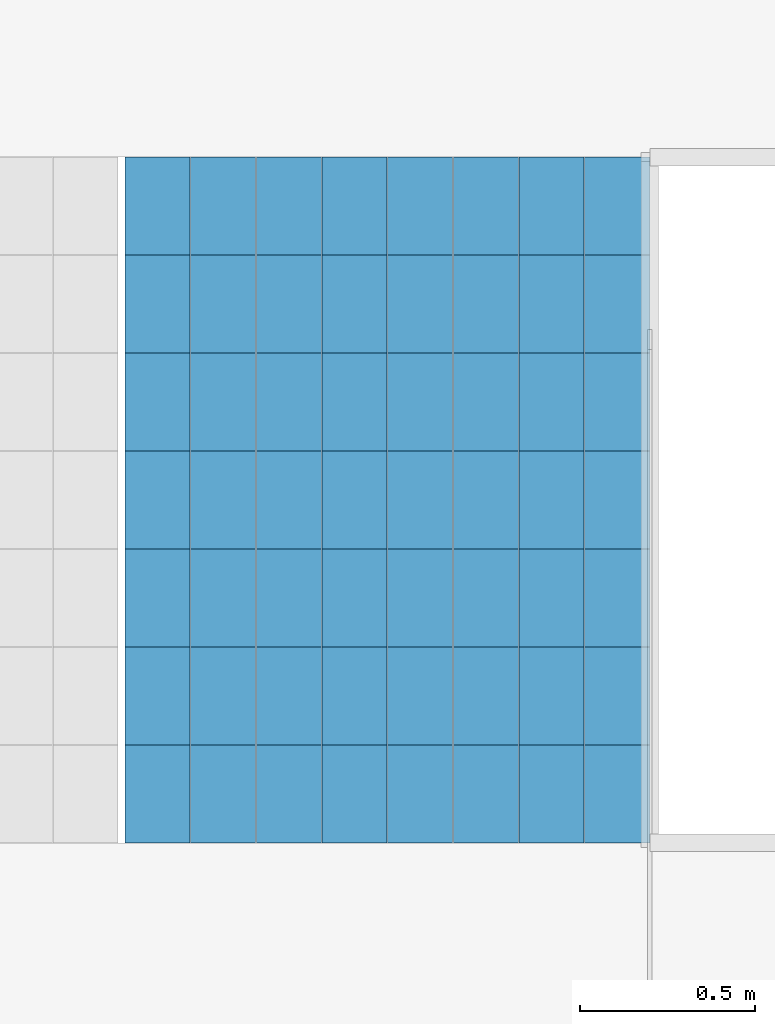
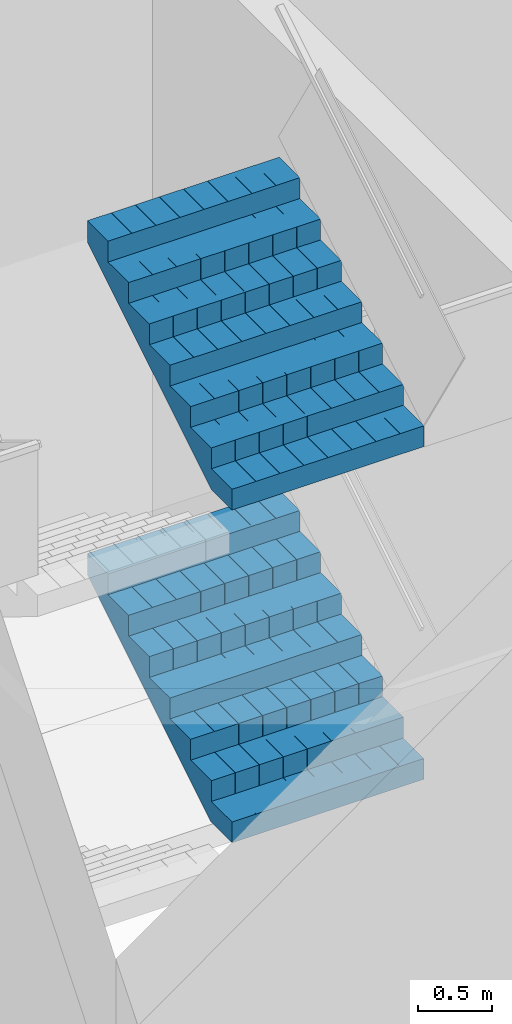
# One storey, part 27 of 30: 2 stair flights, 1 element without a shape of its own.
"""IFC4 building model written with IfcOpenShell, lengths in metres."""

from ifc_helpers import new_model, si_unit, direction, frame, origin, place, context, subcontext, project, spatial, polyline, outline, extrude, material, type_object, element, aggregate, save


model = new_model("IFC4")

# Units and contexts
model_context = context("Model", 3, precision=1e-05, world=origin(), true_north=direction((0.0, 1.0)))
body_context = subcontext(model_context, "Body", "Model", "MODEL_VIEW")
ifc_project = project(units=[si_unit("LENGTHUNIT", "METRE"), si_unit("AREAUNIT", "SQUARE_METRE"), si_unit("VOLUMEUNIT", "CUBIC_METRE"), si_unit("PLANEANGLEUNIT", "RADIAN"), si_unit("MASSUNIT", "GRAM", prefix="KILO")], contexts=[model_context])

# Site, building, storey
site_placement = place(None, origin())
site = spatial("IfcSite", under=ifc_project, at=site_placement, CompositionType="ELEMENT")
building_placement = place(site_placement, origin())
building = spatial("IfcBuilding", under=site, at=building_placement, Name="Kolab Exchange Tower", CompositionType="ELEMENT")
storey_placement = place(building_placement, frame((0.0, 0.0, 38.89990234375)))
storey = spatial("IfcBuildingStorey", under=building, at=storey_placement, Name="L07", CompositionType="ELEMENT", Elevation=38.89990234375)

# Stair, stair flights
ifc_material = material(Name="Concrete C50/60", Category="concrete")
stair_type = type_object("IfcStairType", Name="STAIR ST4 RISER 171.9", PredefinedType="DOUBLE_RETURN_STAIR", material=ifc_material)
stair_placement = place(storey_placement, origin())
stair = element("IfcStair", 1, at=stair_placement, inside=storey, type_object=stair_type, Name="Stair 4", PredefinedType="DOUBLE_RETURN_STAIR")
stair_flight_type = type_object("IfcStairFlightType", Name="STAIR FLIGHT 1500 RISER 171.9", PredefinedType="STRAIGHT", material=ifc_material)
stair_flight_1_placement = place(storey_placement, frame((19.9599609375, -1.31005859375, 1.375), z_axis=(0.0, 0.0, 1.0), x_axis=(0.0, 1.0, 0.0)))
stair_flight_1 = element("IfcStairFlight", 2, at=stair_flight_1_placement, type_object=stair_flight_type, Name="ST4 flight 2", NumberOfRisers=8, NumberOfTreads=7, PredefinedType="STRAIGHT", RiserHeight=0.171875, TreadLength=0.28, context=body_context, shape_type="SweptSolid", body=[
    extrude(outline(polyline([(0.0, 0.0), (0.0, 0.171875), (0.280029296875, 0.171875), (0.280029296875, 0.34375), (0.56005859375, 0.34375), (0.56005859375, 0.515625), (0.840087890625, 0.515625), (0.840087890625, 0.6875), (1.1201171875, 0.6875), (1.1201171875, 0.859375), (1.39990234375, 0.859375), (1.39990234375, 1.03125), (1.679931640625, 1.03125), (1.679931640625, 1.203125), (1.9599609375, 1.203125), (1.9599609375, 1.375), (1.9599609375, 1.02734375), (0.28662109375, 0.0), (0.0, 0.0)])), frame((0.0, 0.75, 0.0), z_axis=(0.0, -1.0, 0.0), x_axis=(1.0, 0.0, 0.0)), (0.0, 0.0, 1.0), 0.185791015625),
    extrude(outline(polyline([(0.0, 0.0), (0.0, 0.171875), (0.280029296875, 0.171875), (0.280029296875, 0.34375), (0.56005859375, 0.34375), (0.56005859375, 0.515625), (0.840087890625, 0.515625), (0.840087890625, 0.6875), (1.1201171875, 0.6875), (1.1201171875, 0.859375), (1.39990234375, 0.859375), (1.39990234375, 1.03125), (1.679931640625, 1.03125), (1.679931640625, 1.203125), (1.9599609375, 1.203125), (1.9599609375, 1.375), (1.9599609375, 1.02734375), (0.28662109375, 0.0), (0.0, 0.0)])), frame((0.0, 0.562255859375, 0.0), z_axis=(0.0, -1.0, 0.0), x_axis=(1.0, 0.0, 0.0)), (0.0, 0.0, 1.0), 0.185791015625),
    extrude(outline(polyline([(0.0, 0.0), (0.0, 0.171875), (0.280029296875, 0.171875), (0.280029296875, 0.34375), (0.56005859375, 0.34375), (0.56005859375, 0.515625), (0.840087890625, 0.515625), (0.840087890625, 0.6875), (1.1201171875, 0.6875), (1.1201171875, 0.859375), (1.39990234375, 0.859375), (1.39990234375, 1.03125), (1.679931640625, 1.03125), (1.679931640625, 1.203125), (1.9599609375, 1.203125), (1.9599609375, 1.375), (1.9599609375, 1.02734375), (0.28662109375, 0.0), (0.0, 0.0)])), frame((0.0, 0.37451171875, 0.0), z_axis=(0.0, -1.0, 0.0), x_axis=(1.0, 0.0, 0.0)), (0.0, 0.0, 1.0), 0.185791015625),
    extrude(outline(polyline([(0.0, 0.0), (0.0, 0.171875), (0.280029296875, 0.171875), (0.280029296875, 0.34375), (0.56005859375, 0.34375), (0.56005859375, 0.515625), (0.840087890625, 0.515625), (0.840087890625, 0.6875), (1.1201171875, 0.6875), (1.1201171875, 0.859375), (1.39990234375, 0.859375), (1.39990234375, 1.03125), (1.679931640625, 1.03125), (1.679931640625, 1.203125), (1.9599609375, 1.203125), (1.9599609375, 1.375), (1.9599609375, 1.02734375), (0.28662109375, 0.0), (0.0, 0.0)])), frame((0.0, 0.186767578125, 0.0), z_axis=(0.0, -1.0, 0.0), x_axis=(1.0, 0.0, 0.0)), (0.0, 0.0, 1.0), 0.185791015625),
    extrude(outline(polyline([(0.0, 0.0), (0.0, 0.171875), (0.280029296875, 0.171875), (0.280029296875, 0.34375), (0.56005859375, 0.34375), (0.56005859375, 0.515625), (0.840087890625, 0.515625), (0.840087890625, 0.6875), (1.1201171875, 0.6875), (1.1201171875, 0.859375), (1.39990234375, 0.859375), (1.39990234375, 1.03125), (1.679931640625, 1.03125), (1.679931640625, 1.203125), (1.9599609375, 1.203125), (1.9599609375, 1.375), (1.9599609375, 1.02734375), (0.28662109375, 0.0), (0.0, 0.0)])), frame((0.0, -0.0009765625, 0.0), z_axis=(0.0, -1.0, 0.0), x_axis=(1.0, 0.0, 0.0)), (0.0, 0.0, 1.0), 0.185791015625),
    extrude(outline(polyline([(0.0, 0.0), (0.0, 0.171875), (0.280029296875, 0.171875), (0.280029296875, 0.34375), (0.56005859375, 0.34375), (0.56005859375, 0.515625), (0.840087890625, 0.515625), (0.840087890625, 0.6875), (1.1201171875, 0.6875), (1.1201171875, 0.859375), (1.39990234375, 0.859375), (1.39990234375, 1.03125), (1.679931640625, 1.03125), (1.679931640625, 1.203125), (1.9599609375, 1.203125), (1.9599609375, 1.375), (1.9599609375, 1.02734375), (0.28662109375, 0.0), (0.0, 0.0)])), frame((0.0, -0.188720703125, 0.0), z_axis=(0.0, -1.0, 0.0), x_axis=(1.0, 0.0, 0.0)), (0.0, 0.0, 1.0), 0.185791015625),
    extrude(outline(polyline([(0.0, 0.0), (0.0, 0.171875), (0.280029296875, 0.171875), (0.280029296875, 0.34375), (0.56005859375, 0.34375), (0.56005859375, 0.515625), (0.840087890625, 0.515625), (0.840087890625, 0.6875), (1.1201171875, 0.6875), (1.1201171875, 0.859375), (1.39990234375, 0.859375), (1.39990234375, 1.03125), (1.679931640625, 1.03125), (1.679931640625, 1.203125), (1.9599609375, 1.203125), (1.9599609375, 1.375), (1.9599609375, 1.02734375), (0.28662109375, 0.0), (0.0, 0.0)])), frame((0.0, -0.37646484375, 0.0), z_axis=(0.0, -1.0, 0.0), x_axis=(1.0, 0.0, 0.0)), (0.0, 0.0, 1.0), 0.185791015625),
    extrude(outline(polyline([(0.0, 0.0), (0.0, 0.171875), (0.280029296875, 0.171875), (0.280029296875, 0.34375), (0.56005859375, 0.34375), (0.56005859375, 0.515625), (0.840087890625, 0.515625), (0.840087890625, 0.6875), (1.1201171875, 0.6875), (1.1201171875, 0.859375), (1.39990234375, 0.859375), (1.39990234375, 1.03125), (1.679931640625, 1.03125), (1.679931640625, 1.203125), (1.9599609375, 1.203125), (1.9599609375, 1.375), (1.9599609375, 1.02734375), (0.28662109375, 0.0), (0.0, 0.0)])), frame((0.0, -0.564208984375, 0.0), z_axis=(0.0, -1.0, 0.0), x_axis=(1.0, 0.0, 0.0)), (0.0, 0.0, 1.0), 0.185791015625),
])
stair_flight_2_placement = place(storey_placement, frame((19.9599609375, -1.31005859375, 4.125), z_axis=(0.0, 0.0, 1.0), x_axis=(0.0, 1.0, 0.0)))
stair_flight_2 = element("IfcStairFlight", 3, at=stair_flight_2_placement, type_object=stair_flight_type, Name="ST4 flight 4", NumberOfRisers=8, NumberOfTreads=7, PredefinedType="STRAIGHT", RiserHeight=0.171875, TreadLength=0.28, context=body_context, shape_type="SweptSolid", body=[
    extrude(outline(polyline([(0.0, 0.0), (0.0, 0.171875), (0.280029296875, 0.171875), (0.280029296875, 0.34375), (0.56005859375, 0.34375), (0.56005859375, 0.515625), (0.840087890625, 0.515625), (0.840087890625, 0.6875), (1.1201171875, 0.6875), (1.1201171875, 0.859375), (1.39990234375, 0.859375), (1.39990234375, 1.03125), (1.679931640625, 1.03125), (1.679931640625, 1.203125), (1.9599609375, 1.203125), (1.9599609375, 1.375), (1.9599609375, 1.02734375), (0.28662109375, 0.0), (0.0, 0.0)])), frame((0.0, 0.75, 0.0), z_axis=(0.0, -1.0, 0.0), x_axis=(1.0, 0.0, 0.0)), (0.0, 0.0, 1.0), 0.185791015625),
    extrude(outline(polyline([(0.0, 0.0), (0.0, 0.171875), (0.280029296875, 0.171875), (0.280029296875, 0.34375), (0.56005859375, 0.34375), (0.56005859375, 0.515625), (0.840087890625, 0.515625), (0.840087890625, 0.6875), (1.1201171875, 0.6875), (1.1201171875, 0.859375), (1.39990234375, 0.859375), (1.39990234375, 1.03125), (1.679931640625, 1.03125), (1.679931640625, 1.203125), (1.9599609375, 1.203125), (1.9599609375, 1.375), (1.9599609375, 1.02734375), (0.28662109375, 0.0), (0.0, 0.0)])), frame((0.0, 0.562255859375, 0.0), z_axis=(0.0, -1.0, 0.0), x_axis=(1.0, 0.0, 0.0)), (0.0, 0.0, 1.0), 0.185791015625),
    extrude(outline(polyline([(0.0, 0.0), (0.0, 0.171875), (0.280029296875, 0.171875), (0.280029296875, 0.34375), (0.56005859375, 0.34375), (0.56005859375, 0.515625), (0.840087890625, 0.515625), (0.840087890625, 0.6875), (1.1201171875, 0.6875), (1.1201171875, 0.859375), (1.39990234375, 0.859375), (1.39990234375, 1.03125), (1.679931640625, 1.03125), (1.679931640625, 1.203125), (1.9599609375, 1.203125), (1.9599609375, 1.375), (1.9599609375, 1.02734375), (0.28662109375, 0.0), (0.0, 0.0)])), frame((0.0, 0.37451171875, 0.0), z_axis=(0.0, -1.0, 0.0), x_axis=(1.0, 0.0, 0.0)), (0.0, 0.0, 1.0), 0.185791015625),
    extrude(outline(polyline([(0.0, 0.0), (0.0, 0.171875), (0.280029296875, 0.171875), (0.280029296875, 0.34375), (0.56005859375, 0.34375), (0.56005859375, 0.515625), (0.840087890625, 0.515625), (0.840087890625, 0.6875), (1.1201171875, 0.6875), (1.1201171875, 0.859375), (1.39990234375, 0.859375), (1.39990234375, 1.03125), (1.679931640625, 1.03125), (1.679931640625, 1.203125), (1.9599609375, 1.203125), (1.9599609375, 1.375), (1.9599609375, 1.02734375), (0.28662109375, 0.0), (0.0, 0.0)])), frame((0.0, 0.186767578125, 0.0), z_axis=(0.0, -1.0, 0.0), x_axis=(1.0, 0.0, 0.0)), (0.0, 0.0, 1.0), 0.185791015625),
    extrude(outline(polyline([(0.0, 0.0), (0.0, 0.171875), (0.280029296875, 0.171875), (0.280029296875, 0.34375), (0.56005859375, 0.34375), (0.56005859375, 0.515625), (0.840087890625, 0.515625), (0.840087890625, 0.6875), (1.1201171875, 0.6875), (1.1201171875, 0.859375), (1.39990234375, 0.859375), (1.39990234375, 1.03125), (1.679931640625, 1.03125), (1.679931640625, 1.203125), (1.9599609375, 1.203125), (1.9599609375, 1.375), (1.9599609375, 1.02734375), (0.28662109375, 0.0), (0.0, 0.0)])), frame((0.0, -0.0009765625, 0.0), z_axis=(0.0, -1.0, 0.0), x_axis=(1.0, 0.0, 0.0)), (0.0, 0.0, 1.0), 0.185791015625),
    extrude(outline(polyline([(0.0, 0.0), (0.0, 0.171875), (0.280029296875, 0.171875), (0.280029296875, 0.34375), (0.56005859375, 0.34375), (0.56005859375, 0.515625), (0.840087890625, 0.515625), (0.840087890625, 0.6875), (1.1201171875, 0.6875), (1.1201171875, 0.859375), (1.39990234375, 0.859375), (1.39990234375, 1.03125), (1.679931640625, 1.03125), (1.679931640625, 1.203125), (1.9599609375, 1.203125), (1.9599609375, 1.375), (1.9599609375, 1.02734375), (0.28662109375, 0.0), (0.0, 0.0)])), frame((0.0, -0.188720703125, 0.0), z_axis=(0.0, -1.0, 0.0), x_axis=(1.0, 0.0, 0.0)), (0.0, 0.0, 1.0), 0.185791015625),
    extrude(outline(polyline([(0.0, 0.0), (0.0, 0.171875), (0.280029296875, 0.171875), (0.280029296875, 0.34375), (0.56005859375, 0.34375), (0.56005859375, 0.515625), (0.840087890625, 0.515625), (0.840087890625, 0.6875), (1.1201171875, 0.6875), (1.1201171875, 0.859375), (1.39990234375, 0.859375), (1.39990234375, 1.03125), (1.679931640625, 1.03125), (1.679931640625, 1.203125), (1.9599609375, 1.203125), (1.9599609375, 1.375), (1.9599609375, 1.02734375), (0.28662109375, 0.0), (0.0, 0.0)])), frame((0.0, -0.37646484375, 0.0), z_axis=(0.0, -1.0, 0.0), x_axis=(1.0, 0.0, 0.0)), (0.0, 0.0, 1.0), 0.185791015625),
    extrude(outline(polyline([(0.0, 0.0), (0.0, 0.171875), (0.280029296875, 0.171875), (0.280029296875, 0.34375), (0.56005859375, 0.34375), (0.56005859375, 0.515625), (0.840087890625, 0.515625), (0.840087890625, 0.6875), (1.1201171875, 0.6875), (1.1201171875, 0.859375), (1.39990234375, 0.859375), (1.39990234375, 1.03125), (1.679931640625, 1.03125), (1.679931640625, 1.203125), (1.9599609375, 1.203125), (1.9599609375, 1.375), (1.9599609375, 1.02734375), (0.28662109375, 0.0), (0.0, 0.0)])), frame((0.0, -0.564208984375, 0.0), z_axis=(0.0, -1.0, 0.0), x_axis=(1.0, 0.0, 0.0)), (0.0, 0.0, 1.0), 0.185791015625),
])
aggregate(stair, [stair_flight_1, stair_flight_2])

save(model, "model.ifc")
